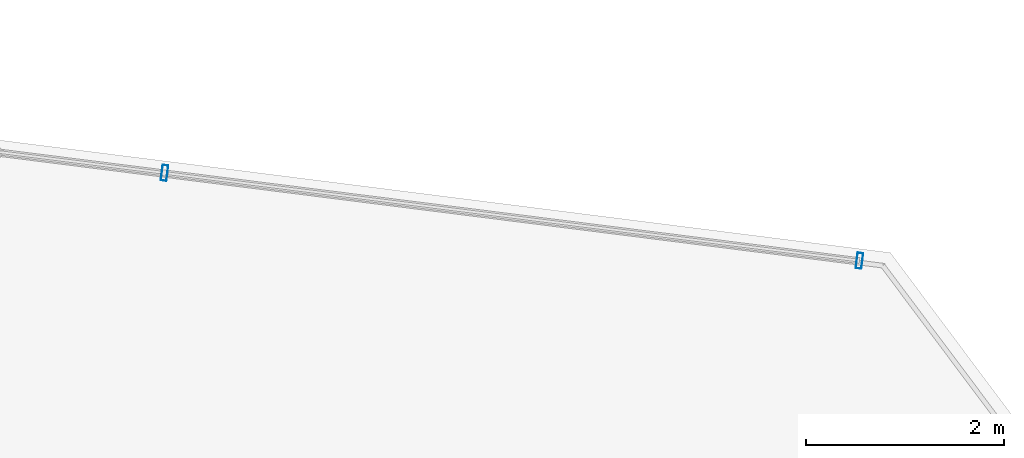
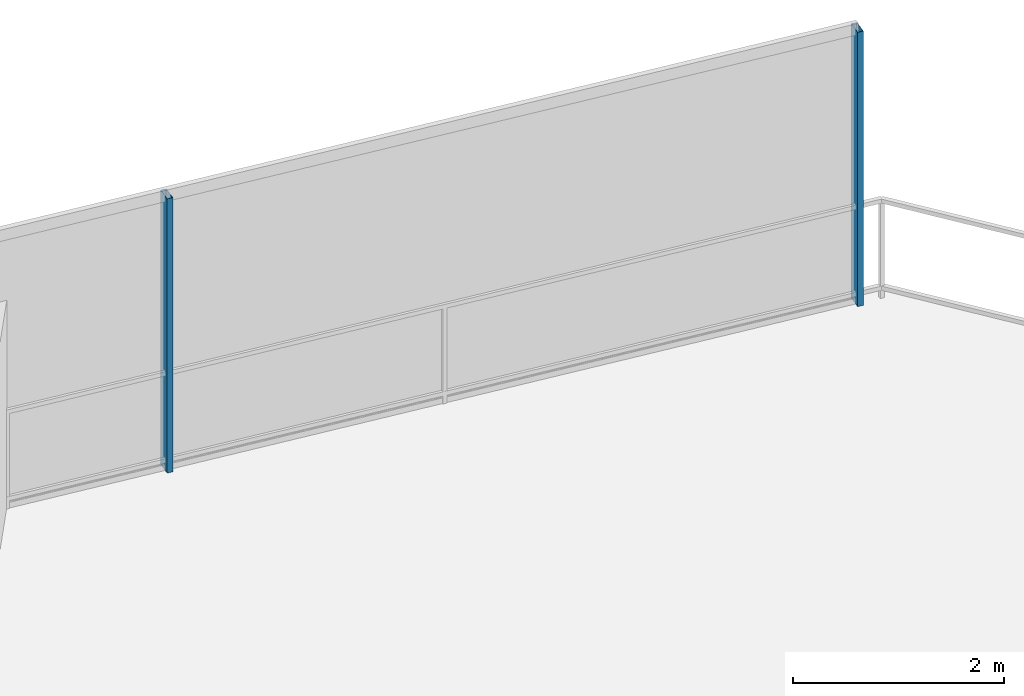
# One storey, part 24 of 30: 2 members, 1 element without a shape of its own.
"""IFC4 building model written with IfcOpenShell, lengths in metres."""

from ifc_helpers import new_model, si_unit, direction, frame, origin, origin_2d, place, context, subcontext, project, spatial, hollow_rectangle, extrude, material, layer, layer_set, material_profile, profile_set, type_object, element, aggregate, save


model = new_model("IFC4")

# Units and contexts
model_context = context("Model", 3, precision=1e-05, world=origin(), true_north=direction((0.0, 1.0)))
body_context = subcontext(model_context, "Body", "Model", "MODEL_VIEW")
ifc_project = project(units=[si_unit("LENGTHUNIT", "METRE"), si_unit("AREAUNIT", "SQUARE_METRE"), si_unit("VOLUMEUNIT", "CUBIC_METRE"), si_unit("PLANEANGLEUNIT", "RADIAN"), si_unit("MASSUNIT", "GRAM", prefix="KILO")], contexts=[model_context])

# Site, building, storey
site_placement = place(None, origin())
site = spatial("IfcSite", under=ifc_project, at=site_placement, CompositionType="ELEMENT")
building_placement = place(site_placement, origin())
building = spatial("IfcBuilding", under=site, at=building_placement, Name="Qarnah Convention Tower", CompositionType="ELEMENT")
storey_placement = place(building_placement, frame((0.0, 0.0, 40.800048828125)))
storey = spatial("IfcBuildingStorey", under=building, at=storey_placement, Name="L09", CompositionType="ELEMENT", Elevation=40.800048828125)

# Curtain wall, members
ifc_material_1 = material(Name="Tempered Low-E dark glass", Category="glass")
ifc_layer = layer(ifc_material_1, 0.16796875)
ifc_layer_set = layer_set([ifc_layer], Name="Tempered Low-E dark glass")
curtain_wall_type = type_object("IfcCurtainWallType", Name="CWS-01", PredefinedType="NOTDEFINED", material=ifc_layer_set)
curtain_wall_placement = place(storey_placement, origin())
curtain_wall = element("IfcCurtainWall", 1, at=curtain_wall_placement, inside=storey, type_object=curtain_wall_type, Name="L09 unitised curtain wall CW-L09-F2", PredefinedType="NOTDEFINED")
ifc_material_2 = material(Name="Black anodised aluminium", Category="aluminium")
ifc_material_profile = material_profile(ifc_material_2, hollow_rectangle(XDim=0.06005859375, YDim=0.159912109375, WallThickness=0.00390625, at=origin_2d()), Name="MUL-60X160")
ifc_profile_set = profile_set([ifc_material_profile], Name="Black anodised aluminium")
member_type = type_object("IfcMemberType", Name="MUL-T1", PredefinedType="MULLION", material=ifc_profile_set)
member_1_placement = place(storey_placement, frame((51.34814453125, 43.527587890625, 0.0), z_axis=(0.0, 0.0, 1.0), x_axis=(0.992116488383, -0.125319086651, 0.0)))
member_1 = element("IfcMember", 2, at=member_1_placement, type_object=member_type, Name="CW-L09-F2 mullion 5", PredefinedType="MULLION", context=body_context, shape_type="SweptSolid", body=[
    extrude(hollow_rectangle(XDim=0.06005859375, YDim=0.159912109375, WallThickness=0.00390625, at=origin_2d()), origin(), (0.0, 0.0, 1.0), 3.169921875),
])
member_2_placement = place(storey_placement, frame((58.383056640625, 42.638916015625, 0.0), z_axis=(0.0, 0.0, 1.0), x_axis=(0.992116488383, -0.125319086651, 0.0)))
member_2 = element("IfcMember", 3, at=member_2_placement, type_object=member_type, Name="CW-L09-F2 mullion 6", PredefinedType="MULLION", context=body_context, shape_type="SweptSolid", body=[
    extrude(hollow_rectangle(XDim=0.06005859375, YDim=0.159912109375, WallThickness=0.00390625, at=origin_2d()), origin(), (0.0, 0.0, 1.0), 3.169921875),
])
aggregate(curtain_wall, [member_1, member_2])

save(model, "model.ifc")
